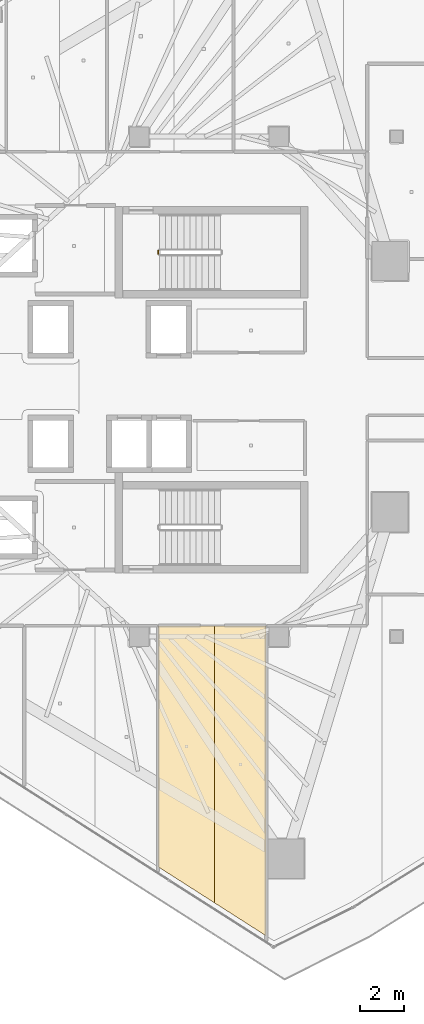
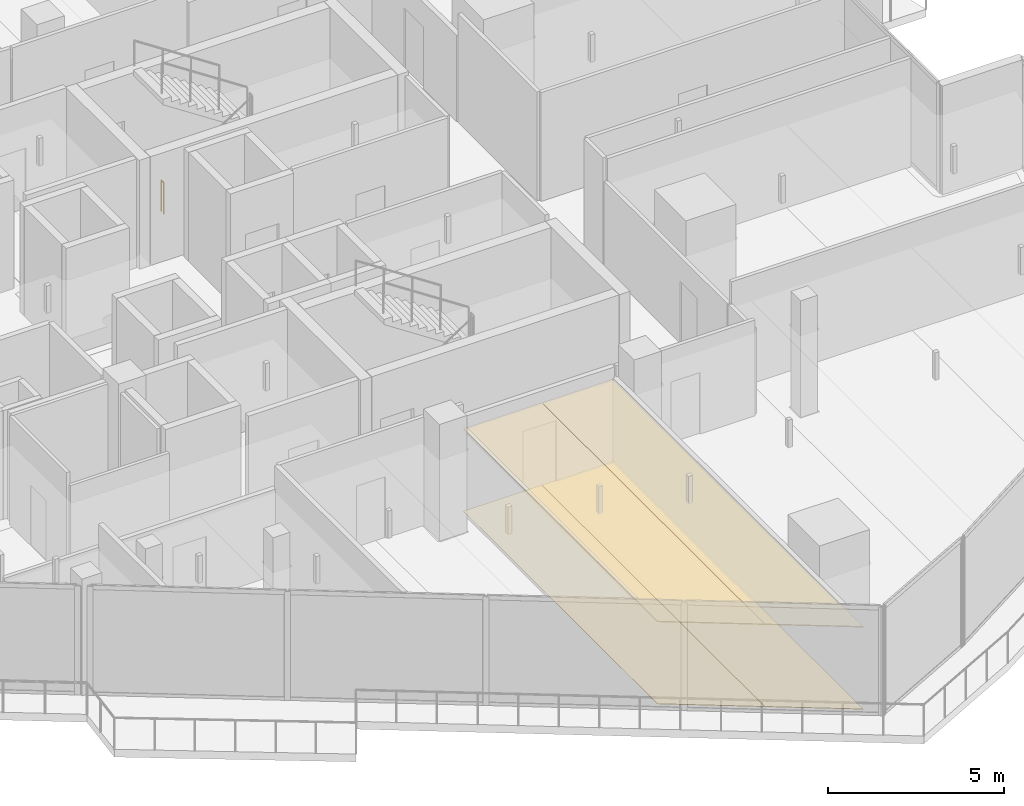
# One storey, part 33 of 36: 4 coverings, 1 railing.
"""IFC4 building model written with IfcOpenShell, lengths in metres."""

from ifc_helpers import new_model, si_unit, direction, frame, origin, origin_2d, place, context, subcontext, project, spatial, polyline, circle, outline, extrude, material, layer, layer_set, type_object, element, save


model = new_model("IFC4")

# Units and contexts
model_context = context("Model", 3, precision=1e-05, world=origin(), true_north=direction((0.0, 1.0)))
body_context = subcontext(model_context, "Body", "Model", "MODEL_VIEW")
ifc_project = project(units=[si_unit("LENGTHUNIT", "METRE"), si_unit("AREAUNIT", "SQUARE_METRE"), si_unit("VOLUMEUNIT", "CUBIC_METRE"), si_unit("PLANEANGLEUNIT", "RADIAN"), si_unit("MASSUNIT", "GRAM", prefix="KILO")], contexts=[model_context])

# Site, building, storey
site_placement = place(None, origin())
site = spatial("IfcSite", under=ifc_project, at=site_placement, CompositionType="ELEMENT")
building_placement = place(site_placement, origin())
building = spatial("IfcBuilding", under=site, at=building_placement, Name="Qorvath Tower", CompositionType="ELEMENT")
storey_placement = place(building_placement, frame((0.0, 0.0, 241.5)))
storey = spatial("IfcBuildingStorey", under=building, at=storey_placement, Name="L56", CompositionType="ELEMENT", Elevation=241.5)

# Coverings
ifc_material_1 = material(Name="Acoustic mineral fibre ceiling tile", Category="gypsum")
ifc_layer_1 = layer(ifc_material_1, 0.030029296875)
ifc_layer_set_1 = layer_set([ifc_layer_1], Name="COV-CEIL")
covering_type_1 = type_object("IfcCoveringType", Name="COV-CEIL", PredefinedType="CEILING", material=ifc_layer_set_1)
covering_1_placement = place(storey_placement, frame((0.0, 0.0, 2.85009765625)))
element("IfcCovering", 1, at=covering_1_placement, inside=storey, type_object=covering_type_1, Name="L56 Suspended Acoustic Ceiling 025", PredefinedType="CEILING", context=body_context, shape_type="SweptSolid", body=[
    extrude(outline(polyline([(-22.719970703125, -10.962890625), (-22.719970703125, -22.005859375), (-20.14453125, -23.65185546875), (-20.14453125, -10.962890625), (-22.719970703125, -10.962890625)])), origin(), (0.0, 0.0, 1.0), 0.030029296875),
])
covering_2_placement = place(storey_placement, frame((0.0, 0.0, 2.85009765625)))
element("IfcCovering", 2, at=covering_2_placement, inside=storey, type_object=covering_type_1, Name="L56 Suspended Acoustic Ceiling 026", PredefinedType="CEILING", context=body_context, shape_type="SweptSolid", body=[
    extrude(outline(polyline([(-20.14453125, -10.962890625), (-20.14453125, -23.65185546875), (-17.775390625, -25.166015625), (-17.775390625, -10.962890625), (-20.14453125, -10.962890625)])), origin(), (0.0, 0.0, 1.0), 0.030029296875),
])
ifc_material_2 = material(Name="Low-VOC modular carpet tile", Category="textile")
ifc_layer_2 = layer(ifc_material_2, 0.014892578125)
ifc_layer_set_2 = layer_set([ifc_layer_2], Name="COV-FLOOR-CPT")
covering_type_2 = type_object("IfcCoveringType", Name="COV-FLOOR-CPT", PredefinedType="FLOORING", material=ifc_layer_set_2)
covering_3_placement = place(storey_placement, origin())
element("IfcCovering", 3, at=covering_3_placement, inside=storey, type_object=covering_type_2, Name="L56 Floor Finish 025", PredefinedType="FLOORING", context=body_context, shape_type="SweptSolid", body=[
    extrude(outline(polyline([(-22.719970703125, -10.962890625), (-22.719970703125, -22.005859375), (-20.14453125, -23.65185546875), (-20.14453125, -10.962890625), (-22.719970703125, -10.962890625)])), origin(), (0.0, 0.0, 1.0), 0.014892578125),
])
covering_4_placement = place(storey_placement, origin())
element("IfcCovering", 4, at=covering_4_placement, inside=storey, type_object=covering_type_2, Name="L56 Floor Finish 026", PredefinedType="FLOORING", context=body_context, shape_type="SweptSolid", body=[
    extrude(outline(polyline([(-20.14453125, -10.962890625), (-20.14453125, -23.65185546875), (-17.775390625, -25.166015625), (-17.775390625, -10.962890625), (-20.14453125, -10.962890625)])), origin(), (0.0, 0.0, 1.0), 0.014892578125),
])

# Railing
ifc_material_3 = material(Name="Painted galvanised steel", Category="steel")
railing_type = type_object("IfcRailingType", Name="RL-STR-GRD", PredefinedType="GUARDRAIL", material=ifc_material_3)
railing_placement = place(storey_placement, frame((-22.719970703125, 6.080078125, 0.0)))
element("IfcRailing", 5, at=railing_placement, inside=storey, type_object=railing_type, Name="L56 TS1 stair guard 4", PredefinedType="GUARDRAIL", context=body_context, shape_type="SweptSolid", body=[
    extrude(circle(Radius=0.02392578125, at=origin_2d()), frame((0.0, 0.0, 1.076171875), z_axis=(0.0, 1.0, 0.0), x_axis=(-1.0, 0.0, 0.0)), (0.0, 0.0, 1.0), 0.14990234375),
    extrude(circle(Radius=0.02099609375, at=origin_2d()), origin(), (0.0, 0.0, 1.0), 1.052001953125),
    extrude(circle(Radius=0.02099609375, at=origin_2d()), frame((0.0, 0.14990234375, 0.0)), (0.0, 0.0, 1.0), 1.052001953125),
])

save(model, "model.ifc")
